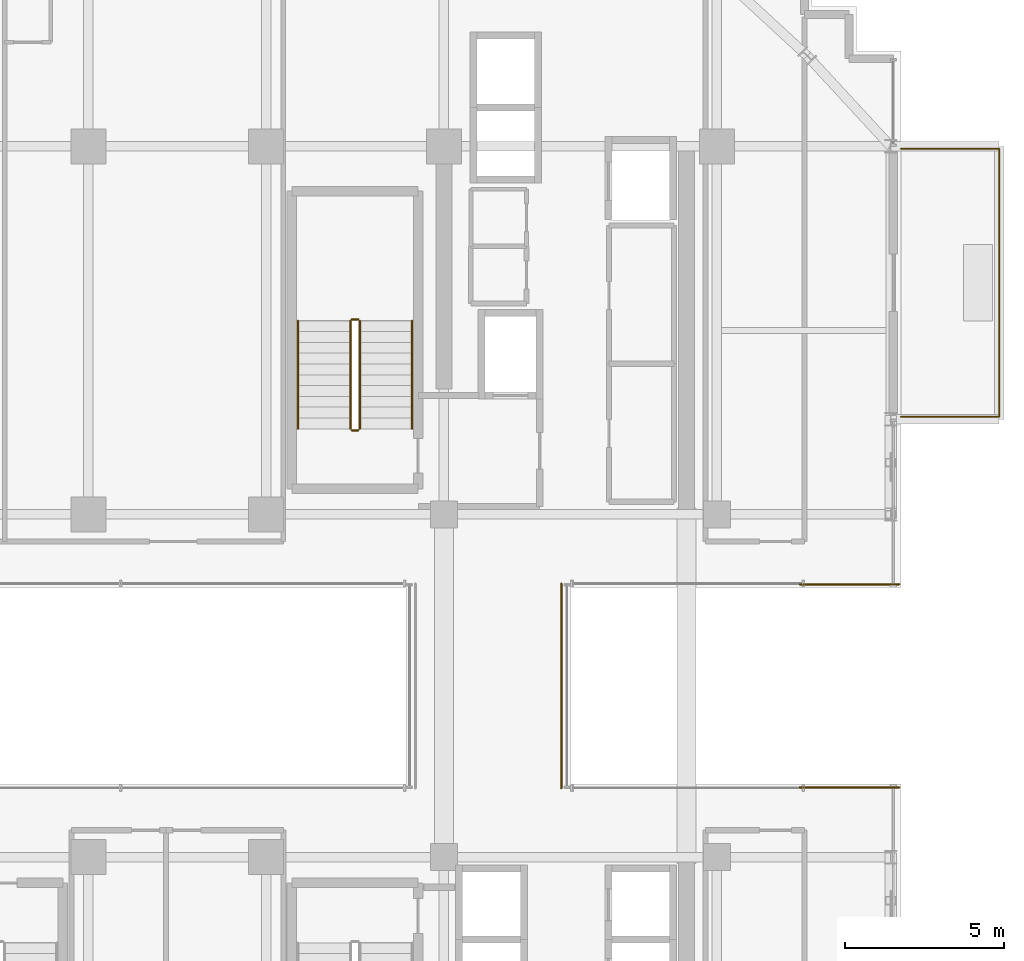
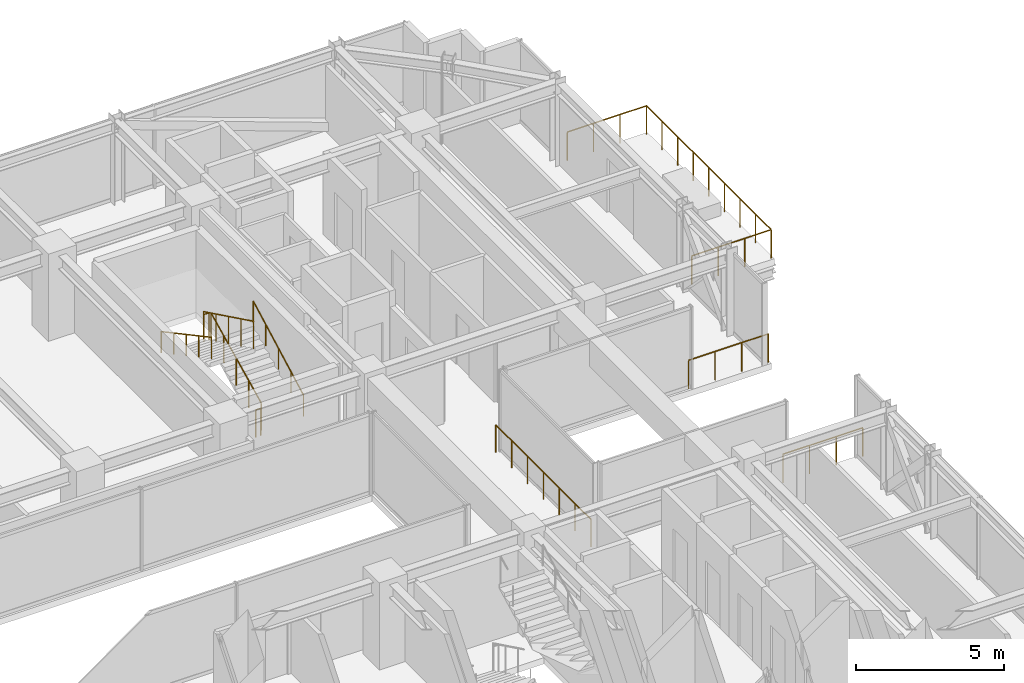
# One storey, part 37 of 38: 10 railings.
"""IFC4 building model written with IfcOpenShell, lengths in metres."""

from ifc_helpers import new_model, si_unit, direction, frame, origin, origin_2d, place, context, subcontext, project, spatial, circle, extrude, material, type_object, element, save


model = new_model("IFC4")

# Units and contexts
model_context = context("Model", 3, precision=1e-05, world=origin(), true_north=direction((0.0, 1.0)))
body_context = subcontext(model_context, "Body", "Model", "MODEL_VIEW")
ifc_project = project(units=[si_unit("LENGTHUNIT", "METRE"), si_unit("AREAUNIT", "SQUARE_METRE"), si_unit("VOLUMEUNIT", "CUBIC_METRE"), si_unit("PLANEANGLEUNIT", "RADIAN"), si_unit("MASSUNIT", "GRAM", prefix="KILO")], contexts=[model_context])

# Site, building, storey
site_placement = place(None, origin())
site = spatial("IfcSite", under=ifc_project, at=site_placement, CompositionType="ELEMENT")
building_placement = place(site_placement, origin())
building = spatial("IfcBuilding", under=site, at=building_placement, Name="Nahalor Promenade Grand Hotel", CompositionType="ELEMENT")
storey_placement = place(building_placement, frame((0.0, 0.0, 163.60009765625)))
storey = spatial("IfcBuildingStorey", under=building, at=storey_placement, Name="L41", CompositionType="ELEMENT", Elevation=163.60009765625)

# Railings
ifc_material_1 = material(Name="Anodised Bronze Aluminium EN AW-6063 T6", Category="aluminium")
railing_type_1 = type_object("IfcRailingType", Name="Bronze Balcony Guardrail 1200 mm", PredefinedType="GUARDRAIL", material=ifc_material_1)
for number, where, name in (
    (1, (19.6201171875, -3.199951171875, 0.0), "L41 Oculus Void Edge Guardrail ES"),
    (2, (19.6201171875, 3.199951171875, 0.0), "L41 Oculus Void Edge Guardrail EN"),
):
    element("IfcRailing", number, at=place(storey_placement, frame(where)), inside=storey, type_object=railing_type_1, Name=name, PredefinedType="GUARDRAIL", context=body_context, shape_type="SweptSolid", body=[
        extrude(circle(Radius=0.024048, at=origin_2d()), frame((0.0, 0.0, 1.17578125), z_axis=(1.0, 0.0, 0.0), x_axis=(0.0, 1.0, 0.0)), (0.0, 0.0, 1.0), 3.119873046875),
        extrude(circle(Radius=0.020996, at=origin_2d()), origin(), (0.0, 0.0, 1.0), 1.14990234375),
        extrude(circle(Radius=0.020996, at=origin_2d()), frame((1.0400390625, 0.0, 0.0)), (0.0, 0.0, 1.0), 1.14990234375),
        extrude(circle(Radius=0.020996, at=origin_2d()), frame((2.079833984375, 0.0, 0.0)), (0.0, 0.0, 1.0), 1.14990234375),
        extrude(circle(Radius=0.020996, at=origin_2d()), frame((3.119873046875, 0.0, 0.0)), (0.0, 0.0, 1.0), 1.14990234375),
    ])
railing_1_placement = place(storey_placement, frame((22.800048828125, 8.47998046875, 0.0)))
element("IfcRailing", 3, at=railing_1_placement, inside=storey, type_object=railing_type_1, Name="L41 Balcony Guardrail 2", PredefinedType="GUARDRAIL", context=body_context, shape_type="SweptSolid", body=[
    extrude(circle(Radius=0.024048, at=origin_2d()), frame((0.0, 0.0, 1.17578125), z_axis=(1.0, 0.0, 0.0), x_axis=(0.0, 1.0, 0.0)), (0.0, 0.0, 1.0), 3.097900390625),
    extrude(circle(Radius=0.024048, at=origin_2d()), frame((3.099853515625, 0.001953125, 1.17578125), z_axis=(0.0, 1.0, 0.0), x_axis=(-1.0, 0.0, 0.0)), (0.0, 0.0, 1.0), 8.43603515625),
    extrude(circle(Radius=0.024048, at=origin_2d()), frame((3.097900390625, 8.43994140625, 1.17578125), z_axis=(-1.0, 0.0, 0.0), x_axis=(0.0, -1.0, 0.0)), (0.0, 0.0, 1.0), 3.097900390625),
    extrude(circle(Radius=0.020996, at=origin_2d()), origin(), (0.0, 0.0, 1.0), 1.14990234375),
    extrude(circle(Radius=0.020996, at=origin_2d()), frame((1.033203125, 0.0, 0.0)), (0.0, 0.0, 1.0), 1.14990234375),
    extrude(circle(Radius=0.020996, at=origin_2d()), frame((2.066650390625, 0.0, 0.0)), (0.0, 0.0, 1.0), 1.14990234375),
    extrude(circle(Radius=0.020996, at=origin_2d()), frame((3.099853515625, 0.0, 0.0)), (0.0, 0.0, 1.0), 1.14990234375),
    extrude(circle(Radius=0.020996, at=origin_2d()), frame((3.099853515625, 1.054931640625, 0.0)), (0.0, 0.0, 1.0), 1.14990234375),
    extrude(circle(Radius=0.020996, at=origin_2d()), frame((3.099853515625, 2.10986328125, 0.0)), (0.0, 0.0, 1.0), 1.14990234375),
    extrude(circle(Radius=0.020996, at=origin_2d()), frame((3.099853515625, 3.1650390625, 0.0)), (0.0, 0.0, 1.0), 1.14990234375),
    extrude(circle(Radius=0.020996, at=origin_2d()), frame((3.099853515625, 4.219970703125, 0.0)), (0.0, 0.0, 1.0), 1.14990234375),
    extrude(circle(Radius=0.020996, at=origin_2d()), frame((3.099853515625, 5.27490234375, 0.0)), (0.0, 0.0, 1.0), 1.14990234375),
    extrude(circle(Radius=0.020996, at=origin_2d()), frame((3.099853515625, 6.330078125, 0.0)), (0.0, 0.0, 1.0), 1.14990234375),
    extrude(circle(Radius=0.020996, at=origin_2d()), frame((3.099853515625, 7.385009765625, 0.0)), (0.0, 0.0, 1.0), 1.14990234375),
    extrude(circle(Radius=0.020996, at=origin_2d()), frame((3.099853515625, 8.43994140625, 0.0)), (0.0, 0.0, 1.0), 1.14990234375),
    extrude(circle(Radius=0.020996, at=origin_2d()), frame((2.066650390625, 8.43994140625, 0.0)), (0.0, 0.0, 1.0), 1.14990234375),
    extrude(circle(Radius=0.020996, at=origin_2d()), frame((1.033203125, 8.43994140625, 0.0)), (0.0, 0.0, 1.0), 1.14990234375),
    extrude(circle(Radius=0.020996, at=origin_2d()), frame((0.0, 8.43994140625, 0.0)), (0.0, 0.0, 1.0), 1.14990234375),
])
railing_type_2 = type_object("IfcRailingType", Name="Bronze Sky Balustrade 1150 mm", PredefinedType="BALUSTRADE", material=ifc_material_1)
railing_2_placement = place(storey_placement, frame((12.10009765625, -3.219970703125, 0.0)))
element("IfcRailing", 4, at=railing_2_placement, inside=storey, type_object=railing_type_2, Name="BL-L41-BRG-E", PredefinedType="BALUSTRADE", context=body_context, shape_type="SweptSolid", body=[
    extrude(circle(Radius=0.024048, at=origin_2d()), frame((0.0, 0.0, 1.1259765625), z_axis=(0.0, 1.0, 0.0), x_axis=(-1.0, 0.0, 0.0)), (0.0, 0.0, 1.0), 6.43994140625),
    extrude(circle(Radius=0.020996, at=origin_2d()), origin(), (0.0, 0.0, 1.0), 1.099853515625),
    extrude(circle(Radius=0.020996, at=origin_2d()), frame((0.0, 1.0732421875, 0.0)), (0.0, 0.0, 1.0), 1.099853515625),
    extrude(circle(Radius=0.020996, at=origin_2d()), frame((0.0, 2.146728515625, 0.0)), (0.0, 0.0, 1.0), 1.099853515625),
    extrude(circle(Radius=0.020996, at=origin_2d()), frame((0.0, 3.219970703125, 0.0)), (0.0, 0.0, 1.0), 1.099853515625),
    extrude(circle(Radius=0.020996, at=origin_2d()), frame((0.0, 4.293212890625, 0.0)), (0.0, 0.0, 1.0), 1.099853515625),
    extrude(circle(Radius=0.020996, at=origin_2d()), frame((0.0, 5.36669921875, 0.0)), (0.0, 0.0, 1.0), 1.099853515625),
    extrude(circle(Radius=0.020996, at=origin_2d()), frame((0.0, 6.43994140625, 0.0)), (0.0, 0.0, 1.0), 1.099853515625),
])
ifc_material_2 = material(Name="Steel S355JR", Category="steel")
railing_type_3 = type_object("IfcRailingType", Name="Steel Stair Guardrail 1150 mm", PredefinedType="GUARDRAIL", material=ifc_material_2)
railing_3_placement = place(storey_placement, frame((5.75, 8.10009765625, 0.165771484375)))
element("IfcRailing", 5, at=railing_3_placement, inside=storey, type_object=railing_type_3, Name="L41 ST1 stair guard 1", PredefinedType="GUARDRAIL", context=body_context, shape_type="SweptSolid", body=[
    extrude(circle(Radius=0.024048, at=origin_2d()), frame((0.0, 0.0, 1.1259765625), z_axis=(0.0, 0.898696488221, 0.438571114028), x_axis=(-1.0, 0.0, 0.0)), (0.0, 0.0, 1.0), 3.783203125),
    extrude(circle(Radius=0.020996, at=origin_2d()), origin(), (0.0, 0.0, 1.0), 1.099853515625),
    extrude(circle(Radius=0.020996, at=origin_2d()), frame((0.0, 0.85009765625, 0.414794921875)), (0.0, 0.0, 1.0), 1.099853515625),
    extrude(circle(Radius=0.020996, at=origin_2d()), frame((0.0, 1.699951171875, 0.82958984375)), (0.0, 0.0, 1.0), 1.099853515625),
    extrude(circle(Radius=0.020996, at=origin_2d()), frame((0.0, 2.5498046875, 1.244384765625)), (0.0, 0.0, 1.0), 1.099853515625),
    extrude(circle(Radius=0.020996, at=origin_2d()), frame((0.0, 3.39990234375, 1.6591796875)), (0.0, 0.0, 1.0), 1.099853515625),
])
railing_4_placement = place(storey_placement, frame((5.699951171875, 11.550048828125, 1.824951171875)))
element("IfcRailing", 6, at=railing_4_placement, inside=storey, type_object=railing_type_3, Name="L41 ST1 stair guard 2", PredefinedType="GUARDRAIL", context=body_context, shape_type="SweptSolid", body=[
    extrude(circle(Radius=0.024048, at=origin_2d()), frame((0.0, 0.0, 1.1259765625), z_axis=(-1.0, 0.0, 0.0), x_axis=(0.0, -1.0, 0.0)), (0.0, 0.0, 1.0), 0.199951171875),
    extrude(circle(Radius=0.020996, at=origin_2d()), origin(), (0.0, 0.0, 1.0), 1.099853515625),
    extrude(circle(Radius=0.020996, at=origin_2d()), frame((-0.199951171875, 0.0, 0.0)), (0.0, 0.0, 1.0), 1.099853515625),
])
railing_5_placement = place(storey_placement, frame((5.449951171875, 11.5, 1.99072265625)))
element("IfcRailing", 7, at=railing_5_placement, inside=storey, type_object=railing_type_3, Name="L41 ST1 stair guard 3", PredefinedType="GUARDRAIL", context=body_context, shape_type="SweptSolid", body=[
    extrude(circle(Radius=0.024048, at=origin_2d()), frame((0.0, 0.0, 1.1259765625), z_axis=(0.0, -0.898696488221, 0.438571114028), x_axis=(1.0, 0.0, 0.0)), (0.0, 0.0, 1.0), 3.783203125),
    extrude(circle(Radius=0.020996, at=origin_2d()), origin(), (0.0, 0.0, 1.0), 1.099853515625),
    extrude(circle(Radius=0.020996, at=origin_2d()), frame((0.0, -0.85009765625, 0.414794921875)), (0.0, 0.0, 1.0), 1.099853515625),
    extrude(circle(Radius=0.020996, at=origin_2d()), frame((0.0, -1.699951171875, 0.82958984375)), (0.0, 0.0, 1.0), 1.099853515625),
    extrude(circle(Radius=0.020996, at=origin_2d()), frame((0.0, -2.5498046875, 1.244384765625)), (0.0, 0.0, 1.0), 1.099853515625),
    extrude(circle(Radius=0.020996, at=origin_2d()), frame((0.0, -3.39990234375, 1.6591796875)), (0.0, 0.0, 1.0), 1.099853515625),
])
railing_6_placement = place(storey_placement, frame((5.699951171875, 8.050048828125, 0.0)))
element("IfcRailing", 8, at=railing_6_placement, inside=storey, type_object=railing_type_3, Name="L41 ST1 stair guard 4", PredefinedType="GUARDRAIL", context=body_context, shape_type="SweptSolid", body=[
    extrude(circle(Radius=0.024048, at=origin_2d()), frame((0.0, 0.0, 1.1259765625), z_axis=(-1.0, 0.0, 0.0), x_axis=(0.0, -1.0, 0.0)), (0.0, 0.0, 1.0), 0.199951171875),
    extrude(circle(Radius=0.020996, at=origin_2d()), origin(), (0.0, 0.0, 1.0), 1.099853515625),
    extrude(circle(Radius=0.020996, at=origin_2d()), frame((-0.199951171875, 0.0, 0.0)), (0.0, 0.0, 1.0), 1.099853515625),
])
railing_type_4 = type_object("IfcRailingType", Name="Steel Stair Handrail 900 mm", PredefinedType="HANDRAIL", material=ifc_material_2)
railing_7_placement = place(storey_placement, frame((7.39990234375, 8.10009765625, 0.165771484375)))
element("IfcRailing", 9, at=railing_7_placement, inside=storey, type_object=railing_type_4, Name="L41 ST1 stair handrail 1", PredefinedType="HANDRAIL", context=body_context, shape_type="SweptSolid", body=[
    extrude(circle(Radius=0.024048, at=origin_2d()), frame((0.0, 0.0, 0.8759765625), z_axis=(0.0, 0.881094038095, 0.47294111265), x_axis=(-1.0, 0.0, 0.0)), (0.0, 0.0, 1.0), 3.858642578125),
    extrude(circle(Radius=0.020996, at=origin_2d()), origin(), (0.0, 0.0, 1.0), 0.849853515625),
    extrude(circle(Radius=0.020996, at=origin_2d()), frame((0.0, 0.85009765625, 0.456298828125)), (0.0, 0.0, 1.0), 0.849853515625),
    extrude(circle(Radius=0.020996, at=origin_2d()), frame((0.0, 1.699951171875, 0.91259765625)), (0.0, 0.0, 1.0), 0.849853515625),
    extrude(circle(Radius=0.020996, at=origin_2d()), frame((0.0, 2.5498046875, 1.36865234375)), (0.0, 0.0, 1.0), 0.849853515625),
    extrude(circle(Radius=0.020996, at=origin_2d()), frame((0.0, 3.39990234375, 1.824951171875)), (0.0, 0.0, 1.0), 0.849853515625),
])
railing_8_placement = place(storey_placement, frame((3.800048828125, 11.5, 1.99072265625)))
element("IfcRailing", 10, at=railing_8_placement, inside=storey, type_object=railing_type_4, Name="L41 ST1 stair handrail 2", PredefinedType="HANDRAIL", context=body_context, shape_type="SweptSolid", body=[
    extrude(circle(Radius=0.024048, at=origin_2d()), frame((0.0, 0.0, 0.8759765625), z_axis=(0.0, -0.881067672671, 0.472990228413), x_axis=(1.0, 0.0, 0.0)), (0.0, 0.0, 1.0), 3.85888671875),
    extrude(circle(Radius=0.020996, at=origin_2d()), origin(), (0.0, 0.0, 1.0), 0.849853515625),
    extrude(circle(Radius=0.020996, at=origin_2d()), frame((0.0, -0.85009765625, 0.456298828125)), (0.0, 0.0, 1.0), 0.849853515625),
    extrude(circle(Radius=0.020996, at=origin_2d()), frame((0.0, -1.699951171875, 0.91259765625)), (0.0, 0.0, 1.0), 0.849853515625),
    extrude(circle(Radius=0.020996, at=origin_2d()), frame((0.0, -2.5498046875, 1.368896484375)), (0.0, 0.0, 1.0), 0.849853515625),
    extrude(circle(Radius=0.020996, at=origin_2d()), frame((0.0, -3.39990234375, 1.8251953125)), (0.0, 0.0, 1.0), 0.849853515625),
])

save(model, "model.ifc")
